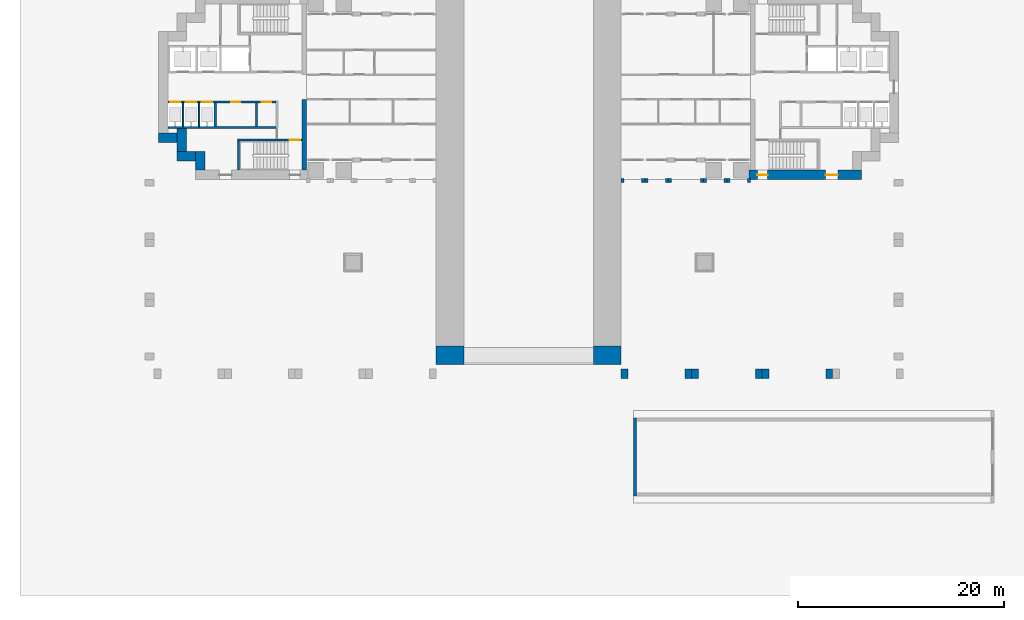
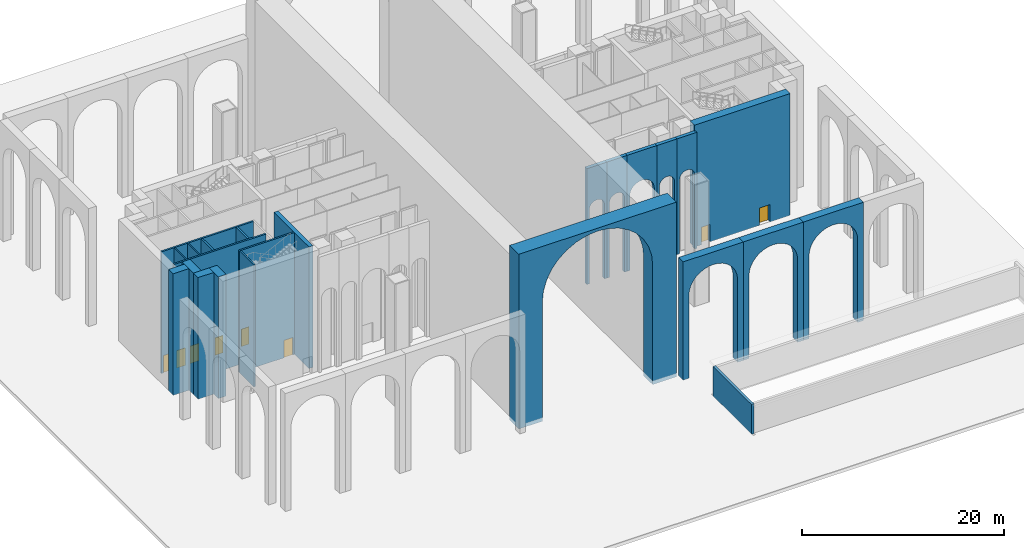
# One storey, part 5 of 18: 24 walls, 8 doors, 8 openings.
"""IFC4 building model written with IfcOpenShell, lengths in metres."""

import ifcopenshell
import ifcopenshell.guid

model = None  # the IFC model being written
_history = None  # IfcOwnerHistory: only IFC2X3 demands one
_inside = {}  # id of a spatial element -> (the spatial element, [elements in it])
_under = {}  # id of a project, library or spatial element -> (it, [spatial elements below it])
_declared = {}  # id of a project -> (the project, [libraries it declares])
_typed = {}  # id of a type object -> (the type object, [elements of that type])
_made_of = {}  # id of a material, layer set ... -> (it, [elements and type objects made of it])


def new_model(schema):
    """Start an empty IFC model of exactly this schema.

    Asked for "IFC4X3", IfcOpenShell would pick the latest addendum, in which some entities
    have other attributes; the version numbers below select the first issue.
    IFC2X3 requires an IfcOwnerHistory on every rooted entity: one is made here for all.
    """
    global model, _history
    if schema == "IFC4X3":
        model = ifcopenshell.file(schema_version=(4, 3, 0, 0))
    else:
        model = ifcopenshell.file(schema=schema)
    _inside.clear()
    _under.clear()
    _declared.clear()
    _typed.clear()
    _made_of.clear()
    _history = None
    if model.schema == "IFC2X3":
        org = make("IfcOrganization", Name="unknown")
        user = make(
            "IfcPersonAndOrganization",
            ThePerson=make("IfcPerson", FamilyName="unknown"),
            TheOrganization=org,
        )
        app = make(
            "IfcApplication",
            ApplicationDeveloper=org,
            Version="unknown",
            ApplicationFullName="unknown",
            ApplicationIdentifier="unknown",
        )
        _history = make(
            "IfcOwnerHistory",
            OwningUser=user,
            OwningApplication=app,
            ChangeAction="ADDED",
            CreationDate=0,
        )
    return model


def make(cls, **values):
    """One entity of the class cls with the attributes given. An attribute that is None is left unset."""
    return model.create_entity(
        cls, **{name: value for name, value in values.items() if value is not None}
    )


def rooted(cls, **values):
    """An entity with a GlobalId (a new one), such as an element, a storey or a relation."""
    return make(cls, GlobalId=ifcopenshell.guid.new(), OwnerHistory=_history, **values)


def si_unit(unit_type, name, prefix=None):
    """IfcSIUnit, for example si_unit("LENGTHUNIT", "METRE", prefix="MILLI")."""
    return make("IfcSIUnit", UnitType=unit_type, Prefix=prefix, Name=name)


def assignment(units):
    """IfcUnitAssignment: the units of a project."""
    return None if units is None else make("IfcUnitAssignment", Units=units)


def point(xyz):
    """IfcCartesianPoint."""
    return None if xyz is None else make("IfcCartesianPoint", Coordinates=xyz)


def direction(xyz):
    """IfcDirection."""
    return None if xyz is None else make("IfcDirection", DirectionRatios=xyz)


def frame(location, z_axis=None, x_axis=None):
    """IfcAxis2Placement3D, a coordinate frame: its origin and axes. An axis left out is left unset."""
    return make(
        "IfcAxis2Placement3D",
        Location=point(location),
        Axis=direction(z_axis),
        RefDirection=direction(x_axis),
    )


def frame_2d(location, x_axis=None):
    """IfcAxis2Placement2D, a coordinate frame in the plane: its origin and x axis."""
    return make(
        "IfcAxis2Placement2D", Location=point(location), RefDirection=direction(x_axis)
    )


def origin():
    """The frame at (0, 0, 0) with its axes left unset."""
    return frame((0.0, 0.0, 0.0))


def place(relative_to, where):
    """IfcLocalPlacement: puts the frame where relative to a parent placement (None: the world)."""
    return make(
        "IfcLocalPlacement", PlacementRelTo=relative_to, RelativePlacement=where
    )


def context(
    kind, dimensions, precision=None, world=None, true_north=None, identifier=None
):
    """IfcGeometricRepresentationContext, for example the 3D "Model" context."""
    return make(
        "IfcGeometricRepresentationContext",
        ContextIdentifier=identifier,
        ContextType=kind,
        CoordinateSpaceDimension=dimensions,
        Precision=precision,
        WorldCoordinateSystem=world,
        TrueNorth=true_north,
    )


def subcontext(parent, identifier, kind, view, scale=None):
    """IfcGeometricRepresentationSubContext, for example "Body" below "Model"."""
    return make(
        "IfcGeometricRepresentationSubContext",
        ContextIdentifier=identifier,
        ContextType=kind,
        ParentContext=parent,
        TargetScale=scale,
        TargetView=view,
    )


def project(units=None, contexts=None):
    """IfcProject with its units and contexts."""
    return rooted(
        "IfcProject",
        Name="project",
        RepresentationContexts=contexts,
        UnitsInContext=assignment(units),
    )


def spatial(cls, under=None, at=None, **own):
    """A site, building, storey or space (cls), placed at a placement, below another one or the project."""
    s = rooted(cls, ObjectPlacement=at, **own)
    if under is not None:
        _under.setdefault(under.id(), (under, []))[1].append(s)
    return s


def polyline(points):
    """IfcPolyline through the points."""
    return make("IfcPolyline", Points=[point(p) for p in points])


def profile(cls, at=None, kind="AREA", **sizes):
    """A parametric profile (cls). Its sizes go by their IFC names, for example OverallWidth=200.0."""
    return make(cls, ProfileType=kind, Position=at, **sizes)


def rectangle(**sizes):
    """IfcRectangleProfileDef."""
    return profile("IfcRectangleProfileDef", **sizes)


def outline(outer, holes=None, kind="AREA"):
    """IfcArbitraryClosedProfileDef: a profile drawn as a closed curve; with holes, ...WithVoids."""
    if holes is None:
        return make("IfcArbitraryClosedProfileDef", ProfileType=kind, OuterCurve=outer)
    return make(
        "IfcArbitraryProfileDefWithVoids",
        ProfileType=kind,
        OuterCurve=outer,
        InnerCurves=holes,
    )


def extrude(swept, where, along, depth):
    """IfcExtrudedAreaSolid: the profile swept, set in the frame where, extruded along a direction by depth."""
    return make(
        "IfcExtrudedAreaSolid",
        SweptArea=swept,
        Position=where,
        ExtrudedDirection=direction(along),
        Depth=depth,
    )


def shape(context_of_items, identifier, shape_type, items):
    """IfcShapeRepresentation: the items that make up one representation, for example the "Body"."""
    return make(
        "IfcShapeRepresentation",
        ContextOfItems=context_of_items,
        RepresentationIdentifier=identifier,
        RepresentationType=shape_type,
        Items=items,
    )


def material(Name=None, Category=None):
    """IfcMaterial."""
    return make("IfcMaterial", Name=Name, Category=Category)


def layer(
    of_material, thickness, ventilated=None, Name=None, Category=None, Priority=None
):
    """IfcMaterialLayer: one layer of a wall or slab, of a material (None: an air gap)."""
    return make(
        "IfcMaterialLayer",
        Material=of_material,
        LayerThickness=thickness,
        IsVentilated=ventilated,
        Name=Name,
        Category=Category,
        Priority=Priority,
    )


def layer_set(layers, Name=None):
    """IfcMaterialLayerSet."""
    return make("IfcMaterialLayerSet", MaterialLayers=layers, LayerSetName=Name)


def material_profile(
    of_material, cross_section, Name=None, Category=None, Priority=None
):
    """IfcMaterialProfile: a cross section and its material."""
    return make(
        "IfcMaterialProfile",
        Name=Name,
        Material=of_material,
        Profile=cross_section,
        Priority=Priority,
        Category=Category,
    )


def profile_set(profiles, Name=None, composite=None):
    """IfcMaterialProfileSet."""
    return make(
        "IfcMaterialProfileSet",
        Name=Name,
        MaterialProfiles=profiles,
        CompositeProfile=composite,
    )


def made_of(thing, what):
    """Note that an element or type object is made of a material, layer set ...; save() writes the relation."""
    if what is not None:
        _made_of.setdefault(what.id(), (what, []))[1].append(thing)
    return thing


def type_object(cls, material=None, **own):
    """A type object (cls), such as IfcWallType, which elements share."""
    return made_of(rooted(cls, **own), material)


def element(
    cls,
    number,
    at=None,
    inside=None,
    cuts=None,
    type_object=None,
    material=None,
    context=None,
    identifier="Body",
    shape_type=None,
    held_by="IfcProductDefinitionShape",
    body=None,
    shapes=None,
    **own,
):
    """One element of the class cls, such as IfcWall. Its Tag is "e" and its number.

    at: its placement. inside: the storey or other place that contains it. cuts: it is an
    opening in that element (IfcRelVoidsElement). A single representation is given by context,
    identifier, shape_type and body (its items); several are given by shapes. held_by: the class
    of the entity that holds the representations. save() writes the other relations.
    """
    e = rooted(cls, Tag="e%d" % number, ObjectPlacement=at, **own)
    if body is not None:
        shapes = [shape(context, identifier, shape_type, body)]
    if shapes is not None:
        e.Representation = make(held_by, Representations=shapes)
    if inside is not None:
        _inside.setdefault(inside.id(), (inside, []))[1].append(e)
    if cuts is not None:
        rooted(
            "IfcRelVoidsElement", RelatingBuildingElement=cuts, RelatedOpeningElement=e
        )
    if type_object is not None:
        _typed.setdefault(type_object.id(), (type_object, []))[1].append(e)
    return made_of(e, material)


def fill(opening, filler):
    """IfcRelFillsElement: the door or window that sits in an opening."""
    return rooted(
        "IfcRelFillsElement",
        RelatingOpeningElement=opening,
        RelatedBuildingElement=filler,
    )


def aggregate(whole, parts):
    """IfcRelAggregates: a whole, such as a stair, and the parts it consists of."""
    return rooted("IfcRelAggregates", RelatingObject=whole, RelatedObjects=parts)


def save(model, path):
    """Write the relations noted so far, then the file.

    IfcRelAggregates (storeys below a building ...), IfcRelContainedInSpatialStructure (elements
    in a storey), IfcRelDefinesByType, IfcRelAssociatesMaterial and IfcRelDeclares: one each for
    every whole, place, type object, material and project.
    """
    for whole, parts in _under.values():
        aggregate(whole, parts)
    for where, things in _inside.values():
        rooted(
            "IfcRelContainedInSpatialStructure",
            RelatedElements=things,
            RelatingStructure=where,
        )
    for kind, things in _typed.values():
        rooted("IfcRelDefinesByType", RelatedObjects=things, RelatingType=kind)
    for what, things in _made_of.values():
        rooted("IfcRelAssociatesMaterial", RelatedObjects=things, RelatingMaterial=what)
    for by, libraries in _declared.values():
        rooted("IfcRelDeclares", RelatingContext=by, RelatedDefinitions=libraries)
    model.write(path)


model = new_model("IFC4")

# Units and contexts
model_context = context("Model", 3, precision=1e-05, world=origin(), true_north=direction((0.0, 1.0)))
body_context = subcontext(model_context, "Body", "Model", "MODEL_VIEW")
ifc_project = project(units=[si_unit("LENGTHUNIT", "METRE"), si_unit("AREAUNIT", "SQUARE_METRE"), si_unit("VOLUMEUNIT", "CUBIC_METRE"), si_unit("PLANEANGLEUNIT", "RADIAN"), si_unit("MASSUNIT", "GRAM", prefix="KILO")], contexts=[model_context])

# Site, building, storey
site_placement = place(None, origin())
site = spatial("IfcSite", under=ifc_project, at=site_placement, CompositionType="ELEMENT")
building_placement = place(site_placement, origin())
building = spatial("IfcBuilding", under=site, at=building_placement, Name="Perihelion Cross Residences", CompositionType="ELEMENT")
storey_placement = place(building_placement, origin())
storey = spatial("IfcBuildingStorey", under=building, at=storey_placement, Name="L00", CompositionType="ELEMENT", Elevation=0.0)

# Walls
ifc_material_1 = material(Name="Concrete C40/50, bronze-clad", Category="concrete")
ifc_layer_1 = layer(ifc_material_1, 0.39990234375)
ifc_layer_set_1 = layer_set([ifc_layer_1], Name="Arcade wall 400, arched bay")
wall_type_1 = type_object("IfcWallType", Name="Arcade wall 400, arched bay", PredefinedType="SOLIDWALL", material=ifc_layer_set_1)
for number, where, z_axis, x_axis, name in (
    (1, (9.0, -8.89990234375, 0.0), (0.0, -1.0, 0.0), (1.0, 0.0, 0.0), "Wall AR1 L00 arcade east bay 1 no. 2"),
    (2, (11.300048828125, -8.89990234375, 0.0), (0.0, -1.0, 0.0), (1.0, 0.0, 0.0), "Wall AR1 L00 arcade east bay 2 no. 2"),
):
    element("IfcWall", number, at=place(storey_placement, frame(where, z_axis=z_axis, x_axis=x_axis)), inside=storey, type_object=wall_type_1, Name=name, PredefinedType="SOLIDWALL", context=body_context, shape_type="SweptSolid", body=[
        extrude(outline(polyline([(0.0, 0.0), (0.300048828125, 0.0), (0.300048828125, 9.0), (0.31640625, 9.165771484375), (0.36474609375, 9.3251953125), (0.443359375, 9.47216796875), (0.549072265625, 9.60107421875), (0.677734375, 9.706787109375), (0.82470703125, 9.785400390625), (0.984130859375, 9.833740234375), (1.14990234375, 9.85009765625), (1.31591796875, 9.833740234375), (1.475341796875, 9.785400390625), (1.622314453125, 9.706787109375), (1.7509765625, 9.60107421875), (1.856689453125, 9.47216796875), (1.935302734375, 9.3251953125), (1.983642578125, 9.165771484375), (2.0, 9.0), (2.0, 0.0), (2.300048828125, 0.0), (2.300048828125, 14.0), (0.0, 14.0), (0.0, 0.0)])), origin(), (0.0, 0.0, 1.0), 0.400146484375),
    ])
wall_1_placement = place(storey_placement, frame((13.60009765625, -8.89990234375, 0.0), z_axis=(0.0, -1.0, 0.0), x_axis=(1.0, 0.0, 0.0)))
element("IfcWall", 3, at=wall_1_placement, inside=storey, type_object=wall_type_1, Name="Wall AR1 L00 arcade east bay 3 no. 2", PredefinedType="SOLIDWALL", context=body_context, shape_type="SweptSolid", body=[
    extrude(outline(polyline([(0.0, 0.0), (0.300048828125, 0.0), (0.300048828125, 9.0), (0.326904296875, 9.273193359375), (0.406494140625, 9.53564453125), (0.535888671875, 9.77783203125), (0.7099609375, 9.989990234375), (0.922119140625, 10.1640625), (1.164306640625, 10.29345703125), (1.4267578125, 10.373046875), (1.699951171875, 10.39990234375), (1.97314453125, 10.373046875), (2.23583984375, 10.29345703125), (2.477783203125, 10.1640625), (2.68994140625, 9.989990234375), (2.864013671875, 9.77783203125), (2.993408203125, 9.53564453125), (3.072998046875, 9.273193359375), (3.10009765625, 9.0), (3.10009765625, 0.0), (3.39990234375, 0.0), (3.39990234375, 14.0), (0.0, 14.0), (0.0, 0.0)])), origin(), (0.0, 0.0, 1.0), 0.400146484375),
])
for number, where, z_axis, x_axis, name in (
    (4, (17.0, -8.89990234375, 0.0), (0.0, -1.0, 0.0), (1.0, 0.0, 0.0), "Wall AR1 L00 arcade east bay 4 no. 2"),
    (5, (19.300048828125, -8.89990234375, 0.0), (0.0, -1.0, 0.0), (1.0, 0.0, 0.0), "Wall AR1 L00 arcade east bay 5 no. 2"),
):
    element("IfcWall", number, at=place(storey_placement, frame(where, z_axis=z_axis, x_axis=x_axis)), inside=storey, type_object=wall_type_1, Name=name, PredefinedType="SOLIDWALL", context=body_context, shape_type="SweptSolid", body=[
        extrude(outline(polyline([(0.0, 0.0), (0.300048828125, 0.0), (0.300048828125, 9.0), (0.31640625, 9.165771484375), (0.36474609375, 9.3251953125), (0.443359375, 9.47216796875), (0.549072265625, 9.60107421875), (0.677734375, 9.706787109375), (0.82470703125, 9.785400390625), (0.984130859375, 9.833740234375), (1.14990234375, 9.85009765625), (1.31591796875, 9.833740234375), (1.475341796875, 9.785400390625), (1.622314453125, 9.706787109375), (1.7509765625, 9.60107421875), (1.856689453125, 9.47216796875), (1.935302734375, 9.3251953125), (1.983642578125, 9.165771484375), (2.0, 9.0), (2.0, 0.0), (2.300048828125, 0.0), (2.300048828125, 14.0), (0.0, 14.0), (0.0, 0.0)])), origin(), (0.0, 0.0, 1.0), 0.400146484375),
    ])
ifc_material_2 = material(Name="Concrete C60/75", Category="concrete")
ifc_layer_2 = layer(ifc_material_2, 0.449951171875)
ifc_layer_set_2 = layer_set([ifc_layer_2], Name="Core wall, inner 450")
wall_type_2 = type_object("IfcWallType", Name="Core wall, inner 450", PredefinedType="SHEAR", material=ifc_layer_set_2)
wall_2_placement = place(storey_placement, frame((-21.824951171875, -8.10009765625, 0.0), z_axis=(0.0, 0.0, 1.0), x_axis=(0.0, 1.0, 0.0)))
element("IfcWall", 6, at=wall_2_placement, inside=storey, type_object=wall_type_2, Name="West core core wall, inner", PredefinedType="SHEAR", context=body_context, shape_type="SweptSolid", body=[
    extrude(rectangle(XDim=6.900146484375, YDim=0.449951171875, at=frame_2d((3.4501953125, 0.0))), origin(), (0.0, 0.0, 1.0), 14.699951171875),
])

# Wall, openings, doors
ifc_material_3 = material(Name="Concrete C60/75", Category="concrete")
ifc_layer_3 = layer(ifc_material_3, 0.89990234375)
ifc_layer_set_3 = layer_set([ifc_layer_3], Name="Core wall, outer 900")
wall_type_3 = type_object("IfcWallType", Name="Core wall, outer 900", PredefinedType="SHEAR", material=ifc_layer_set_3)
wall_3_placement = place(storey_placement, frame((21.449951171875, -8.550048828125, 0.0), z_axis=(0.0, 0.0, 1.0), x_axis=(1.0, 0.0, 0.0)))
wall_3 = element("IfcWall", 7, at=wall_3_placement, inside=storey, type_object=wall_type_3, Name="East core core wall, outer", PredefinedType="SHEAR", context=body_context, shape_type="SweptSolid", body=[
    extrude(rectangle(XDim=10.949951171875, YDim=0.89990234375, at=frame_2d((5.47509765625, 0.0))), origin(), (0.0, 0.0, 1.0), 14.699951171875),
])
opening_1_placement = place(wall_3_placement, frame((0.800048828125, 0.0, 0.0)))
opening_1 = element("IfcOpeningElement", 8, at=opening_1_placement, cuts=wall_3, Name="Opening L00.C07", PredefinedType="OPENING", context=body_context, shape_type="SweptSolid", body=[
    extrude(rectangle(XDim=1.0, YDim=2.10009765625, at=frame_2d((0.5, 1.050048828125))), frame((0.0, 0.4599609375, 0.0), z_axis=(0.0, -1.0, 0.0), x_axis=(1.0, 0.0, 0.0)), (0.0, 0.0, 1.0), 0.919921875),
])
opening_2_placement = place(wall_3_placement, frame((7.449951171875, 0.0, 0.0)))
opening_2 = element("IfcOpeningElement", 9, at=opening_2_placement, cuts=wall_3, Name="Opening L00.C17", PredefinedType="OPENING", context=body_context, shape_type="SweptSolid", body=[
    extrude(rectangle(XDim=1.199951171875, YDim=2.10009765625, at=frame_2d((0.60009765625, 1.050048828125))), frame((0.0, 0.4599609375, 0.0), z_axis=(0.0, -1.0, 0.0), x_axis=(1.0, 0.0, 0.0)), (0.0, 0.0, 1.0), 0.919921875),
])
ifc_material_4 = material(Name="Steel, powder coated", Category="steel")
door_type_1 = type_object("IfcDoorType", Name="Fire command room door 1200", OperationType="DOUBLE_DOOR_SINGLE_SWING", PredefinedType="DOOR", material=ifc_material_4)
door_1_placement = place(opening_2_placement, origin())
door_1 = element("IfcDoor", 10, at=door_1_placement, inside=storey, type_object=door_type_1, Name="East core fire command room door", OperationType="DOUBLE_DOOR_SINGLE_SWING", OverallHeight=2.10009765625, OverallWidth=1.199951171875, PredefinedType="DOOR", context=body_context, shape_type="SweptSolid", body=[
    extrude(rectangle(XDim=1.199951171875, YDim=2.10009765625, at=frame_2d((0.60009765625, 1.050048828125))), frame((0.0, 0.02490234375, 0.0), z_axis=(0.0, -1.0, 0.0), x_axis=(1.0, 0.0, 0.0)), (0.0, 0.0, 1.0), 0.050048828125),
])
fill(opening_2, door_1)
ifc_material_5 = material(Name="Steel, powder coated", Category="steel")
door_type_2 = type_object("IfcDoorType", Name="Stair exit door 1000", OperationType="SINGLE_SWING_LEFT", PredefinedType="DOOR", material=ifc_material_5)
door_2_placement = place(opening_1_placement, origin())
door_2 = element("IfcDoor", 11, at=door_2_placement, inside=storey, type_object=door_type_2, Name="East core stair exit door", OperationType="SINGLE_SWING_LEFT", OverallHeight=2.10009765625, OverallWidth=1.0, PredefinedType="DOOR", context=body_context, shape_type="SweptSolid", body=[
    extrude(rectangle(XDim=1.0, YDim=2.10009765625, at=frame_2d((0.5, 1.050048828125))), frame((0.0, 0.02490234375, 0.0), z_axis=(0.0, -1.0, 0.0), x_axis=(1.0, 0.0, 0.0)), (0.0, 0.0, 1.0), 0.050048828125),
])
fill(opening_1, door_2)

# Walls
for number, where, z_axis, x_axis, name in (
    (12, (-31.949951171875, -8.10009765625, 0.0), (0.0, 0.0, 1.0), (0.0, 1.0, 0.0), "West core core wall, outer"),
    (13, (-34.199951171875, -6.75, 0.0), (0.0, 0.0, 1.0), (1.0, 0.0, 0.0), "West core core wall, outer"),
):
    element("IfcWall", number, at=place(storey_placement, frame(where, z_axis=z_axis, x_axis=x_axis)), inside=storey, type_object=wall_type_3, Name=name, PredefinedType="SHEAR", context=body_context, shape_type="SweptSolid", body=[
        extrude(rectangle(XDim=1.800048828125, YDim=0.89990234375, at=frame_2d((0.89990234375, 0.0))), origin(), (0.0, 0.0, 1.0), 14.699951171875),
    ])
wall_4_placement = place(storey_placement, frame((-33.75, -6.300048828125, 0.0), z_axis=(0.0, 0.0, 1.0), x_axis=(0.0, 1.0, 0.0)))
element("IfcWall", 14, at=wall_4_placement, inside=storey, type_object=wall_type_3, Name="West core core wall, outer", PredefinedType="SHEAR", context=body_context, shape_type="SweptSolid", body=[
    extrude(rectangle(XDim=2.25, YDim=0.89990234375, at=frame_2d((1.125, 0.0))), origin(), (0.0, 0.0, 1.0), 14.699951171875),
])
wall_5_placement = place(storey_placement, frame((-36.0, -4.949951171875, 0.0), z_axis=(0.0, 0.0, 1.0), x_axis=(1.0, 0.0, 0.0)))
element("IfcWall", 15, at=wall_5_placement, inside=storey, type_object=wall_type_3, Name="West core core wall, outer", PredefinedType="SHEAR", context=body_context, shape_type="SweptSolid", body=[
    extrude(rectangle(XDim=1.800048828125, YDim=0.89990234375, at=frame_2d((0.89990234375, 0.0))), origin(), (0.0, 0.0, 1.0), 14.699951171875),
])
ifc_material_6 = material(Name="Concrete C50/60", Category="concrete")
ifc_layer_4 = layer(ifc_material_6, 0.89990234375)
ifc_layer_set_4 = layer_set([ifc_layer_4], Name="Loggia arcade wall 900, arched bay")
wall_type_4 = type_object("IfcWallType", Name="Loggia arcade wall 900, arched bay", PredefinedType="SOLIDWALL", material=ifc_layer_set_4)
for number, where, z_axis, x_axis, name in (
    (16, (9.0, -27.449951171875, 0.0), (0.0, -1.0, 0.0), (1.0, 0.0, 0.0), "Wall AR3 L00 loggia south-east north-south bay 1"),
    (17, (15.862548828125, -27.449951171875, 0.0), (0.0, -1.0, 0.0), (1.0, 0.0, 0.0), "Wall AR3 L00 loggia south-east north-south bay 2"),
    (18, (22.72509765625, -27.449951171875, 0.0), (0.0, -1.0, 0.0), (1.0, 0.0, 0.0), "Wall AR3 L00 loggia south-east north-south bay 3"),
):
    element("IfcWall", number, at=place(storey_placement, frame(where, z_axis=z_axis, x_axis=x_axis)), inside=storey, type_object=wall_type_4, Name=name, PredefinedType="SOLIDWALL", context=body_context, shape_type="SweptSolid", body=[
        extrude(outline(polyline([(0.0, 0.0), (0.64990234375, 0.0), (0.64990234375, 10.0), (0.703369140625, 10.54248046875), (0.86181640625, 11.064453125), (1.11865234375, 11.545166015625), (1.464599609375, 11.966552734375), (1.885986328125, 12.3125), (2.366943359375, 12.569580078125), (2.888671875, 12.727783203125), (3.43115234375, 12.78125), (3.973876953125, 12.727783203125), (4.49560546875, 12.569580078125), (4.976318359375, 12.3125), (5.39794921875, 11.966552734375), (5.743896484375, 11.545166015625), (6.000732421875, 11.064453125), (6.1591796875, 10.54248046875), (6.21240234375, 10.0), (6.21240234375, 0.0), (6.862548828125, 0.0), (6.862548828125, 14.300048828125), (0.0, 14.300048828125), (0.0, 0.0)])), origin(), (0.0, 0.0, 1.0), 0.900146484375),
    ])
ifc_material_7 = material(Name="Concrete C60/75", Category="concrete")
ifc_material_profile = material_profile(ifc_material_7, outline(polyline([(9.0, 21.10009765625), (-9.0, 21.10009765625), (-9.0, 0.0), (-6.300048828125, 0.0), (-6.300048828125, 14.449951171875), (-6.178955078125, 15.678955078125), (-5.820556640625, 16.86083984375), (-5.23828125, 17.9501953125), (-4.454833984375, 18.90478515625), (-3.5, 19.688232421875), (-2.410888671875, 20.2705078125), (-1.22900390625, 20.62890625), (0.0, 20.75), (1.22900390625, 20.62890625), (2.410888671875, 20.2705078125), (3.5, 19.688232421875), (4.454833984375, 18.90478515625), (5.23828125, 17.9501953125), (5.820556640625, 16.86083984375), (6.178955078125, 15.678955078125), (6.300048828125, 14.449951171875), (6.300048828125, 0.0), (9.0, 0.0), (9.0, 21.10009765625)])), Name="Portal wall")
ifc_profile_set = profile_set([ifc_material_profile], Name="Concrete C60/75")
wall_type_5 = type_object("IfcWallType", Name="Portal wall 1800 concrete C60/75", PredefinedType="SOLIDWALL", material=ifc_profile_set)
wall_6_placement = place(storey_placement, frame((0.0, -27.0, -0.39990234375), z_axis=(0.0, 1.0, 0.0), x_axis=(-1.0, 0.0, 0.0)))
element("IfcWall", 19, at=wall_6_placement, inside=storey, type_object=wall_type_5, Name="Wall SW12 L00 portal south", PredefinedType="SOLIDWALL", context=body_context, shape_type="SweptSolid", body=[
    extrude(outline(polyline([(9.0, 21.10009765625), (-9.0, 21.10009765625), (-9.0, 0.0), (-6.300048828125, 0.0), (-6.300048828125, 14.449951171875), (-6.178955078125, 15.678955078125), (-5.820556640625, 16.86083984375), (-5.23828125, 17.9501953125), (-4.454833984375, 18.90478515625), (-3.5, 19.688232421875), (-2.410888671875, 20.2705078125), (-1.22900390625, 20.62890625), (0.0, 20.75), (1.22900390625, 20.62890625), (2.410888671875, 20.2705078125), (3.5, 19.688232421875), (4.454833984375, 18.90478515625), (5.23828125, 17.9501953125), (5.820556640625, 16.86083984375), (6.178955078125, 15.678955078125), (6.300048828125, 14.449951171875), (6.300048828125, 0.0), (9.0, 0.0), (9.0, 21.10009765625)])), origin(), (0.0, 0.0, 1.0), 1.800048828125),
])
ifc_material_8 = material(Name="Concrete C40/50", Category="concrete")
ifc_layer_5 = layer(ifc_material_8, 0.300048828125)
ifc_layer_set_5 = layer_set([ifc_layer_5], Name="Ramp house wall 300")
wall_type_6 = type_object("IfcWallType", Name="Ramp house wall 300", PredefinedType="SOLIDWALL", material=ifc_layer_set_5)
wall_7_placement = place(storey_placement, frame((10.35009765625, -39.800048828125, 0.0), z_axis=(0.0, 0.0, 1.0), x_axis=(0.0, 1.0, 0.0)))
element("IfcWall", 20, at=wall_7_placement, inside=storey, type_object=wall_type_6, Name="Ramp house wall west end", PredefinedType="SOLIDWALL", context=body_context, shape_type="SweptSolid", body=[
    extrude(rectangle(XDim=7.60009765625, YDim=0.300048828125, at=frame_2d((3.800048828125, 0.0))), origin(), (0.0, 0.0, 1.0), 3.60009765625),
])
ifc_material_9 = material(Name="Fire-rated board on steel stud", Category="steel")
ifc_layer_6 = layer(ifc_material_9, 0.199951171875)
ifc_layer_set_6 = layer_set([ifc_layer_6], Name="Riser wall 200")
wall_type_7 = type_object("IfcWallType", Name="Riser wall 200", PredefinedType="PARTITIONING", material=ifc_layer_set_6)
wall_8_placement = place(storey_placement, frame((-26.5, -3.85009765625, 0.0), z_axis=(0.0, 0.0, 1.0), x_axis=(0.0, 1.0, 0.0)))
element("IfcWall", 21, at=wall_8_placement, inside=storey, type_object=wall_type_7, Name="West core riser wall", PredefinedType="PARTITIONING", context=body_context, shape_type="SweptSolid", body=[
    extrude(rectangle(XDim=2.300048828125, YDim=0.199951171875, at=frame_2d((1.14990234375, 0.0))), origin(), (0.0, 0.0, 1.0), 14.699951171875),
])
ifc_material_10 = material(Name="Concrete C50/60", Category="concrete")
ifc_layer_7 = layer(ifc_material_10, 0.14990234375)
ifc_layer_set_7 = layer_set([ifc_layer_7], Name="Shaft wall 150")
wall_type_8 = type_object("IfcWallType", Name="Shaft wall 150", PredefinedType="SOLIDWALL", material=ifc_layer_set_7)
for number, where, z_axis, x_axis, name in (
    (22, (-32.074951171875, -3.85009765625, 0.0), (0.0, 0.0, 1.0), (0.0, 1.0, 0.0), "West core shaft wall"),
    (23, (-33.625, -3.85009765625, 0.0), (0.0, 0.0, 1.0), (0.0, 1.0, 0.0), "West core shaft wall"),
):
    element("IfcWall", number, at=place(storey_placement, frame(where, z_axis=z_axis, x_axis=x_axis)), inside=storey, type_object=wall_type_8, Name=name, PredefinedType="SOLIDWALL", context=body_context, shape_type="SweptSolid", body=[
        extrude(rectangle(XDim=2.300048828125, YDim=0.14990234375, at=frame_2d((1.14990234375, 0.0))), origin(), (0.0, 0.0, 1.0), 14.699951171875),
    ])

# Wall, openings, doors
ifc_material_11 = material(Name="Concrete C50/60", Category="concrete")
ifc_layer_8 = layer(ifc_material_11, 0.199951171875)
ifc_layer_set_8 = layer_set([ifc_layer_8], Name="Shaft wall 200")
wall_type_9 = type_object("IfcWallType", Name="Shaft wall 200", PredefinedType="SOLIDWALL", material=ifc_layer_set_8)
wall_9_placement = place(storey_placement, frame((-35.10009765625, -1.449951171875, 0.0), z_axis=(0.0, 0.0, 1.0), x_axis=(1.0, 0.0, 0.0)))
wall_9 = element("IfcWall", 24, at=wall_9_placement, inside=storey, type_object=wall_type_9, Name="West core shaft wall", PredefinedType="SOLIDWALL", context=body_context, shape_type="SweptSolid", body=[
    extrude(rectangle(XDim=10.5, YDim=0.199951171875, at=frame_2d((5.25, 0.0))), origin(), (0.0, 0.0, 1.0), 14.699951171875),
])
opening_3_placement = place(wall_9_placement, frame((3.300048828125, 0.0, 0.0)))
opening_3 = element("IfcOpeningElement", 25, at=opening_3_placement, cuts=wall_9, Name="Opening L00.C22", PredefinedType="OPENING", context=body_context, shape_type="SweptSolid", body=[
    extrude(rectangle(XDim=1.0, YDim=2.10009765625, at=frame_2d((0.5, 1.050048828125))), frame((0.0, 0.10986328125, 0.0), z_axis=(0.0, -1.0, 0.0), x_axis=(1.0, 0.0, 0.0)), (0.0, 0.0, 1.0), 0.219970703125),
])
opening_4_placement = place(wall_9_placement, frame((1.75, 0.0, 0.0)))
opening_4 = element("IfcOpeningElement", 26, at=opening_4_placement, cuts=wall_9, Name="Opening L00.C23", PredefinedType="OPENING", context=body_context, shape_type="SweptSolid", body=[
    extrude(rectangle(XDim=1.0, YDim=2.10009765625, at=frame_2d((0.5, 1.050048828125))), frame((0.0, 0.10986328125, 0.0), z_axis=(0.0, -1.0, 0.0), x_axis=(1.0, 0.0, 0.0)), (0.0, 0.0, 1.0), 0.219970703125),
])
opening_5_placement = place(wall_9_placement, frame((0.199951171875, 0.0, 0.0)))
opening_5 = element("IfcOpeningElement", 27, at=opening_5_placement, cuts=wall_9, Name="Opening L00.C25", PredefinedType="OPENING", context=body_context, shape_type="SweptSolid", body=[
    extrude(rectangle(XDim=1.0, YDim=2.10009765625, at=frame_2d((0.5, 1.050048828125))), frame((0.0, 0.10986328125, 0.0), z_axis=(0.0, -1.0, 0.0), x_axis=(1.0, 0.0, 0.0)), (0.0, 0.0, 1.0), 0.219970703125),
])
opening_6_placement = place(wall_9_placement, frame((9.14990234375, 0.0, 0.0)))
opening_6 = element("IfcOpeningElement", 28, at=opening_6_placement, cuts=wall_9, Name="Opening L00.C32", PredefinedType="OPENING", context=body_context, shape_type="SweptSolid", body=[
    extrude(rectangle(XDim=0.89990234375, YDim=2.10009765625, at=frame_2d((0.449951171875, 1.050048828125))), frame((0.0, 0.10986328125, 0.0), z_axis=(0.0, -1.0, 0.0), x_axis=(1.0, 0.0, 0.0)), (0.0, 0.0, 1.0), 0.219970703125),
])
opening_7_placement = place(wall_9_placement, frame((6.14990234375, 0.0, 0.0)))
opening_7 = element("IfcOpeningElement", 29, at=opening_7_placement, cuts=wall_9, Name="Opening L00.C35", PredefinedType="OPENING", context=body_context, shape_type="SweptSolid", body=[
    extrude(rectangle(XDim=0.89990234375, YDim=2.10009765625, at=frame_2d((0.449951171875, 1.050048828125))), frame((0.0, 0.10986328125, 0.0), z_axis=(0.0, -1.0, 0.0), x_axis=(1.0, 0.0, 0.0)), (0.0, 0.0, 1.0), 0.219970703125),
])
ifc_material_12 = material(Name="Stainless steel", Category="steel")
door_type_3 = type_object("IfcDoorType", Name="Landing door 1000", OperationType="DOUBLE_DOOR_SLIDING", PredefinedType="DOOR", material=ifc_material_12)
door_3_placement = place(opening_3_placement, origin())
door_3 = element("IfcDoor", 30, at=door_3_placement, inside=storey, type_object=door_type_3, Name="Landing door, West core low-rise lift 1", OperationType="DOUBLE_DOOR_SLIDING", OverallHeight=2.10009765625, OverallWidth=1.0, PredefinedType="DOOR", context=body_context, shape_type="SweptSolid", body=[
    extrude(rectangle(XDim=1.0, YDim=2.10009765625, at=frame_2d((0.5, 1.050048828125))), frame((0.0, 0.02490234375, 0.0), z_axis=(0.0, -1.0, 0.0), x_axis=(1.0, 0.0, 0.0)), (0.0, 0.0, 1.0), 0.050048828125),
])
fill(opening_3, door_3)
door_4_placement = place(opening_4_placement, origin())
door_4 = element("IfcDoor", 31, at=door_4_placement, inside=storey, type_object=door_type_3, Name="Landing door, West core low-rise lift 2", OperationType="DOUBLE_DOOR_SLIDING", OverallHeight=2.10009765625, OverallWidth=1.0, PredefinedType="DOOR", context=body_context, shape_type="SweptSolid", body=[
    extrude(rectangle(XDim=1.0, YDim=2.10009765625, at=frame_2d((0.5, 1.050048828125))), frame((0.0, 0.02490234375, 0.0), z_axis=(0.0, -1.0, 0.0), x_axis=(1.0, 0.0, 0.0)), (0.0, 0.0, 1.0), 0.050048828125),
])
fill(opening_4, door_4)
door_5_placement = place(opening_5_placement, origin())
door_5 = element("IfcDoor", 32, at=door_5_placement, inside=storey, type_object=door_type_3, Name="Landing door, West core low-rise lift 3", OperationType="DOUBLE_DOOR_SLIDING", OverallHeight=2.10009765625, OverallWidth=1.0, PredefinedType="DOOR", context=body_context, shape_type="SweptSolid", body=[
    extrude(rectangle(XDim=1.0, YDim=2.10009765625, at=frame_2d((0.5, 1.050048828125))), frame((0.0, 0.02490234375, 0.0), z_axis=(0.0, -1.0, 0.0), x_axis=(1.0, 0.0, 0.0)), (0.0, 0.0, 1.0), 0.050048828125),
])
fill(opening_5, door_5)
ifc_material_13 = material(Name="Steel, powder coated", Category="steel")
door_type_4 = type_object("IfcDoorType", Name="Service room door 900", OperationType="SINGLE_SWING_LEFT", PredefinedType="DOOR", material=ifc_material_13)
door_6_placement = place(opening_6_placement, origin())
door_6 = element("IfcDoor", 33, at=door_6_placement, inside=storey, type_object=door_type_4, Name="West core service room door", OperationType="SINGLE_SWING_LEFT", OverallHeight=2.10009765625, OverallWidth=0.89990234375, PredefinedType="DOOR", context=body_context, shape_type="SweptSolid", body=[
    extrude(rectangle(XDim=0.89990234375, YDim=2.10009765625, at=frame_2d((0.449951171875, 1.050048828125))), frame((0.0, 0.02490234375, 0.0), z_axis=(0.0, -1.0, 0.0), x_axis=(1.0, 0.0, 0.0)), (0.0, 0.0, 1.0), 0.050048828125),
])
fill(opening_6, door_6)
door_7_placement = place(opening_7_placement, origin())
door_7 = element("IfcDoor", 34, at=door_7_placement, inside=storey, type_object=door_type_4, Name="West core service room door", OperationType="SINGLE_SWING_LEFT", OverallHeight=2.10009765625, OverallWidth=0.89990234375, PredefinedType="DOOR", context=body_context, shape_type="SweptSolid", body=[
    extrude(rectangle(XDim=0.89990234375, YDim=2.10009765625, at=frame_2d((0.449951171875, 1.050048828125))), frame((0.0, 0.02490234375, 0.0), z_axis=(0.0, -1.0, 0.0), x_axis=(1.0, 0.0, 0.0)), (0.0, 0.0, 1.0), 0.050048828125),
])
fill(opening_7, door_7)

# Walls
wall_10_placement = place(storey_placement, frame((-35.10009765625, -3.949951171875, 0.0), z_axis=(0.0, 0.0, 1.0), x_axis=(1.0, 0.0, 0.0)))
element("IfcWall", 35, at=wall_10_placement, inside=storey, type_object=wall_type_9, Name="West core shaft wall", PredefinedType="SOLIDWALL", context=body_context, shape_type="SweptSolid", body=[
    extrude(rectangle(XDim=10.5, YDim=0.199951171875, at=frame_2d((5.25, 0.0))), origin(), (0.0, 0.0, 1.0), 14.699951171875),
])
wall_11_placement = place(storey_placement, frame((-30.5, -3.85009765625, 0.0), z_axis=(0.0, 0.0, 1.0), x_axis=(0.0, 1.0, 0.0)))
element("IfcWall", 36, at=wall_11_placement, inside=storey, type_object=wall_type_9, Name="West core shaft wall", PredefinedType="SOLIDWALL", context=body_context, shape_type="SweptSolid", body=[
    extrude(rectangle(XDim=2.300048828125, YDim=0.199951171875, at=frame_2d((1.14990234375, 0.0))), origin(), (0.0, 0.0, 1.0), 14.699951171875),
])

# Wall, opening, door
ifc_material_14 = material(Name="Concrete C50/60", Category="concrete")
ifc_layer_9 = layer(ifc_material_14, 0.199951171875)
ifc_layer_set_9 = layer_set([ifc_layer_9], Name="Stair wall 200")
wall_type_10 = type_object("IfcWallType", Name="Stair wall 200", PredefinedType="SOLIDWALL", material=ifc_layer_set_9)
wall_12_placement = place(storey_placement, frame((-28.35009765625, -5.14990234375, 0.0), z_axis=(0.0, 0.0, 1.0), x_axis=(1.0, 0.0, 0.0)))
wall_12 = element("IfcWall", 37, at=wall_12_placement, inside=storey, type_object=wall_type_10, Name="West core stair wall", PredefinedType="SOLIDWALL", context=body_context, shape_type="SweptSolid", body=[
    extrude(rectangle(XDim=6.300048828125, YDim=0.199951171875, at=frame_2d((3.14990234375, 0.0))), origin(), (0.0, 0.0, 1.0), 14.699951171875),
])
opening_8_placement = place(wall_12_placement, frame((5.10009765625, 0.0, 0.0)))
opening_8 = element("IfcOpeningElement", 38, at=opening_8_placement, cuts=wall_12, Name="Opening L00.C27", PredefinedType="OPENING", context=body_context, shape_type="SweptSolid", body=[
    extrude(rectangle(XDim=1.0, YDim=2.10009765625, at=frame_2d((0.5, 1.050048828125))), frame((0.0, 0.10986328125, 0.0), z_axis=(0.0, -1.0, 0.0), x_axis=(1.0, 0.0, 0.0)), (0.0, 0.0, 1.0), 0.219970703125),
])
ifc_material_15 = material(Name="Steel, powder coated", Category="steel")
door_type_5 = type_object("IfcDoorType", Name="Stair door 1000", OperationType="SINGLE_SWING_LEFT", PredefinedType="DOOR", material=ifc_material_15)
door_8_placement = place(opening_8_placement, origin())
door_8 = element("IfcDoor", 39, at=door_8_placement, inside=storey, type_object=door_type_5, Name="West core stair door", OperationType="SINGLE_SWING_LEFT", OverallHeight=2.10009765625, OverallWidth=1.0, PredefinedType="DOOR", context=body_context, shape_type="SweptSolid", body=[
    extrude(rectangle(XDim=1.0, YDim=2.10009765625, at=frame_2d((0.5, 1.050048828125))), frame((0.0, 0.02490234375, 0.0), z_axis=(0.0, -1.0, 0.0), x_axis=(1.0, 0.0, 0.0)), (0.0, 0.0, 1.0), 0.050048828125),
])
fill(opening_8, door_8)

# Wall
wall_13_placement = place(storey_placement, frame((-28.25, -8.10009765625, 0.0), z_axis=(0.0, 0.0, 1.0), x_axis=(0.0, 1.0, 0.0)))
element("IfcWall", 40, at=wall_13_placement, inside=storey, type_object=wall_type_10, Name="West core stair wall", PredefinedType="SOLIDWALL", context=body_context, shape_type="SweptSolid", body=[
    extrude(rectangle(XDim=2.85009765625, YDim=0.199951171875, at=frame_2d((1.425048828125, 0.0))), origin(), (0.0, 0.0, 1.0), 14.699951171875),
])

save(model, "model.ifc")
